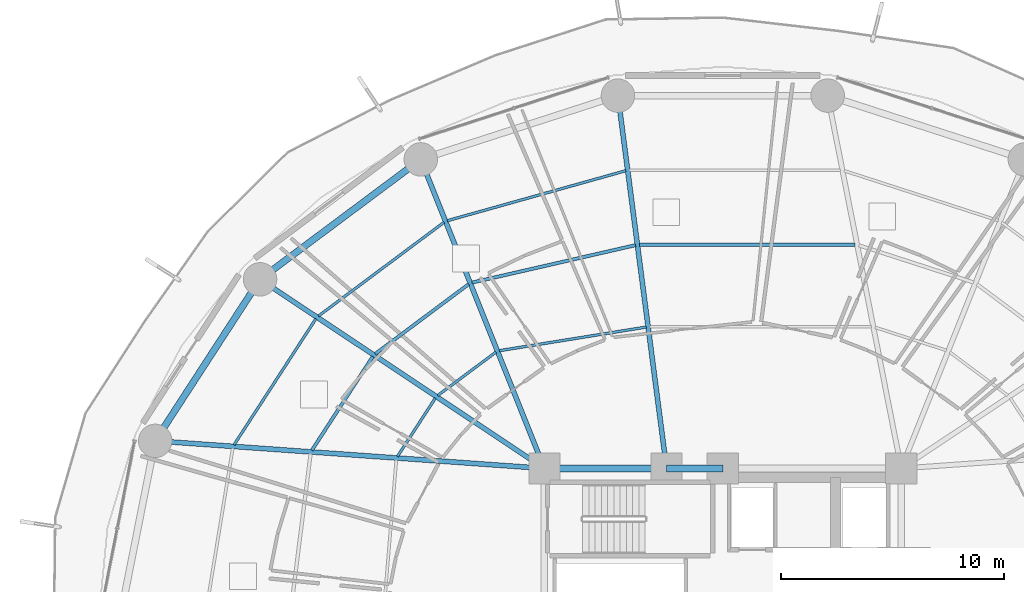
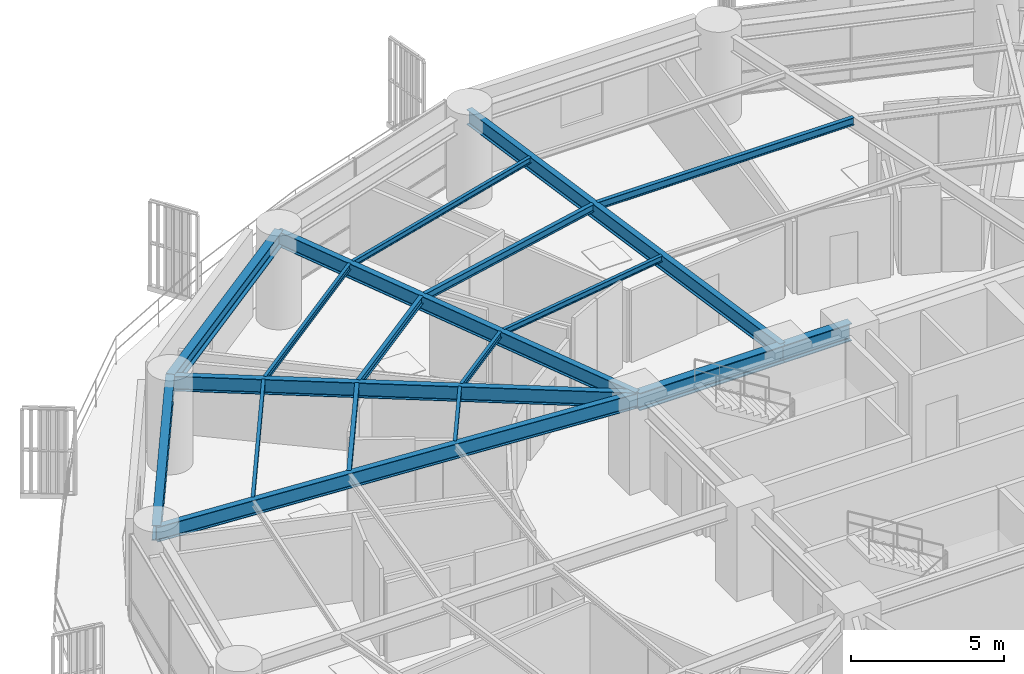
# One storey, part 16 of 32: 18 beams.
"""IFC4 building model written with IfcOpenShell, lengths in metres."""

from ifc_helpers import new_model, si_unit, direction, frame, origin, origin_2d, place, context, subcontext, project, spatial, i_section, extrude, material, material_profile, profile_set, type_object, element, save


model = new_model("IFC4")

# Units and contexts
model_context = context("Model", 3, precision=1e-05, world=origin(), true_north=direction((0.0, 1.0)))
body_context = subcontext(model_context, "Body", "Model", "MODEL_VIEW")
ifc_project = project(units=[si_unit("LENGTHUNIT", "METRE"), si_unit("AREAUNIT", "SQUARE_METRE"), si_unit("VOLUMEUNIT", "CUBIC_METRE"), si_unit("PLANEANGLEUNIT", "RADIAN"), si_unit("MASSUNIT", "GRAM", prefix="KILO")], contexts=[model_context])

# Site, building, storey
site_placement = place(None, origin())
site = spatial("IfcSite", under=ifc_project, at=site_placement, CompositionType="ELEMENT")
building_placement = place(site_placement, origin())
building = spatial("IfcBuilding", under=site, at=building_placement, Name="Kelanora Arch Commons", CompositionType="ELEMENT")
storey_placement = place(building_placement, frame((0.0, 0.0, 52.5)))
storey = spatial("IfcBuildingStorey", under=building, at=storey_placement, Name="L13", CompositionType="ELEMENT", Elevation=52.5)

# Beams
ifc_material = material(Name="Steel S355", Category="steel")
ifc_material_profile_1 = material_profile(ifc_material, i_section(OverallWidth=0.300048828125, OverallDepth=0.699951171875, WebThickness=0.01708984375, FlangeThickness=0.031982421875, FilletRadius=0.027099609375, at=origin_2d()), Name="HEB700")
ifc_profile_set_1 = profile_set([ifc_material_profile_1], Name="Steel S355")
beam_type_1 = type_object("IfcBeamType", Name="BM-CORE-HDR", PredefinedType="BEAM", material=ifc_profile_set_1)
beam_1_placement = place(storey_placement, frame((74.0, 65.0, 3.139892578125), z_axis=(-1.0, 0.0, 0.0), x_axis=(0.0, -1.0, 0.0)))
element("IfcBeam", 1, at=beam_1_placement, inside=storey, type_object=beam_type_1, Name="Core Header Beam 06 L13", PredefinedType="BEAM", context=body_context, shape_type="SweptSolid", body=[
    extrude(i_section(OverallWidth=0.300048828125, OverallDepth=0.699951171875, WebThickness=0.01708984375, FlangeThickness=0.031982421875, FilletRadius=0.027099609375, at=origin_2d()), origin(), (0.0, 0.0, 1.0), 2.52001953125),
])
beam_2_placement = place(storey_placement, frame((71.47998046875, 65.0, 3.139892578125), z_axis=(-1.0, 0.0, 0.0), x_axis=(0.0, -1.0, 0.0)))
element("IfcBeam", 2, at=beam_2_placement, inside=storey, type_object=beam_type_1, Name="Core Header Beam 07 L13", PredefinedType="BEAM", context=body_context, shape_type="SweptSolid", body=[
    extrude(i_section(OverallWidth=0.300048828125, OverallDepth=0.699951171875, WebThickness=0.01708984375, FlangeThickness=0.031982421875, FilletRadius=0.027099609375, at=origin_2d()), origin(), (0.0, 0.0, 1.0), 5.47998046875),
])
ifc_material_profile_2 = material_profile(ifc_material, i_section(OverallWidth=0.14990234375, OverallDepth=0.300048828125, WebThickness=0.007080078125, FlangeThickness=0.0107421875, FilletRadius=0.014892578125, at=origin_2d()), Name="IPE300")
ifc_profile_set_2 = profile_set([ifc_material_profile_2], Name="Steel S355")
beam_type_2 = type_object("IfcBeamType", Name="BM-JST-01", PredefinedType="JOIST", material=ifc_profile_set_2)
beam_3_placement = place(storey_placement, frame((79.936279296875, 75.028564453125, 3.340087890625), z_axis=(-1.0, 0.0, 0.0), x_axis=(0.0, -1.0, 0.0)))
element("IfcBeam", 3, at=beam_3_placement, inside=storey, type_object=beam_type_2, Name="Secondary Chord Joist BJB-08 L13", PredefinedType="JOIST", context=body_context, shape_type="SweptSolid", body=[
    extrude(i_section(OverallWidth=0.14990234375, OverallDepth=0.300048828125, WebThickness=0.007080078125, FlangeThickness=0.0107421875, FilletRadius=0.014892578125, at=origin_2d()), origin(), (0.0, 0.0, 1.0), 9.6806640625),
])
beam_4_placement = place(storey_placement, frame((70.087646484375, 75.009521484375, 3.340087890625), z_axis=(-0.974770159254, -0.223210968877, 0.0), x_axis=(0.223210968877, -0.974770159254, 0.0)))
element("IfcBeam", 4, at=beam_4_placement, inside=storey, type_object=beam_type_2, Name="Secondary Chord Joist BJB-10 L13", PredefinedType="JOIST", context=body_context, shape_type="SweptSolid", body=[
    extrude(i_section(OverallWidth=0.14990234375, OverallDepth=0.300048828125, WebThickness=0.007080078125, FlangeThickness=0.0107421875, FilletRadius=0.014892578125, at=origin_2d()), origin(), (0.0, 0.0, 1.0), 7.5185546875),
])
beam_5_placement = place(storey_placement, frame((62.60791015625, 73.261474609375, 3.340087890625), z_axis=(-0.801478251559, -0.598023922831, 0.0), x_axis=(0.598023922831, -0.801478251559, 0.0)))
element("IfcBeam", 5, at=beam_5_placement, inside=storey, type_object=beam_type_2, Name="Secondary Chord Joist BJB-12 L13", PredefinedType="JOIST", context=body_context, shape_type="SweptSolid", body=[
    extrude(i_section(OverallWidth=0.14990234375, OverallDepth=0.300048828125, WebThickness=0.007080078125, FlangeThickness=0.0107421875, FilletRadius=0.014892578125, at=origin_2d()), origin(), (0.0, 0.0, 1.0), 5.223388671875),
])
beam_6_placement = place(storey_placement, frame((58.306884765625, 70.015625, 3.340087890625), z_axis=(-0.544551588245, -0.838727350061, 0.0), x_axis=(0.838727350061, -0.544551588245, 0.0)))
element("IfcBeam", 6, at=beam_6_placement, inside=storey, type_object=beam_type_2, Name="Secondary Chord Joist BJB-14 L13", PredefinedType="JOIST", context=body_context, shape_type="SweptSolid", body=[
    extrude(i_section(OverallWidth=0.14990234375, OverallDepth=0.300048828125, WebThickness=0.007080078125, FlangeThickness=0.0107421875, FilletRadius=0.014892578125, at=origin_2d()), origin(), (0.0, 0.0, 1.0), 5.010986328125),
])
ifc_material_profile_3 = material_profile(ifc_material, i_section(OverallWidth=0.1201171875, OverallDepth=0.239990234375, WebThickness=0.006103515625, FlangeThickness=0.009765625, FilletRadius=0.014892578125, at=origin_2d()), Name="IPE240")
ifc_profile_set_3 = profile_set([ifc_material_profile_3], Name="Steel S355")
beam_type_3 = type_object("IfcBeamType", Name="BM-JST-02", PredefinedType="JOIST", material=ifc_profile_set_3)
beam_7_placement = place(storey_placement, frame((70.56689453125, 71.337890625, 3.3701171875), z_axis=(-0.987306715654, -0.158825215959, 0.0), x_axis=(0.158825215959, -0.987306715654, 0.0)))
element("IfcBeam", 7, at=beam_7_placement, inside=storey, type_object=beam_type_3, Name="Secondary Chord Joist BJA-10 L13", PredefinedType="JOIST", context=body_context, shape_type="SweptSolid", body=[
    extrude(i_section(OverallWidth=0.1201171875, OverallDepth=0.239990234375, WebThickness=0.006103515625, FlangeThickness=0.009765625, FilletRadius=0.014892578125, at=origin_2d()), origin(), (0.0, 0.0, 1.0), 6.6728515625),
])
beam_8_placement = place(storey_placement, frame((69.652099609375, 78.348388671875, 3.3701171875), z_axis=(-0.962914880978, -0.269805359456, 0.0), x_axis=(0.269805359456, -0.962914880978, 0.0)))
element("IfcBeam", 8, at=beam_8_placement, inside=storey, type_object=beam_type_3, Name="Secondary Chord Joist BJC-10 L13", PredefinedType="JOIST", context=body_context, shape_type="SweptSolid", body=[
    extrude(i_section(OverallWidth=0.1201171875, OverallDepth=0.239990234375, WebThickness=0.006103515625, FlangeThickness=0.009765625, FilletRadius=0.014892578125, at=origin_2d()), origin(), (0.0, 0.0, 1.0), 8.310302734375),
])
beam_9_placement = place(storey_placement, frame((63.82666015625, 70.213623046875, 3.3701171875), z_axis=(-0.801513822608, -0.59797624716, 0.0), x_axis=(0.59797624716, -0.801513822608, 0.0)))
element("IfcBeam", 9, at=beam_9_placement, inside=storey, type_object=beam_type_3, Name="Secondary Chord Joist BJA-12 L13", PredefinedType="JOIST", context=body_context, shape_type="SweptSolid", body=[
    extrude(i_section(OverallWidth=0.1201171875, OverallDepth=0.239990234375, WebThickness=0.006103515625, FlangeThickness=0.009765625, FilletRadius=0.014892578125, at=origin_2d()), origin(), (0.0, 0.0, 1.0), 3.245849609375),
])
beam_10_placement = place(storey_placement, frame((61.5, 76.0322265625, 3.3701171875), z_axis=(-0.80149131963, -0.598006408459, 0.0), x_axis=(0.598006408459, -0.80149131963, 0.0)))
element("IfcBeam", 10, at=beam_10_placement, inside=storey, type_object=beam_type_3, Name="Secondary Chord Joist BJC-12 L13", PredefinedType="JOIST", context=body_context, shape_type="SweptSolid", body=[
    extrude(i_section(OverallWidth=0.1201171875, OverallDepth=0.239990234375, WebThickness=0.006103515625, FlangeThickness=0.009765625, FilletRadius=0.014892578125, at=origin_2d()), origin(), (0.0, 0.0, 1.0), 7.021240234375),
])
beam_11_placement = place(storey_placement, frame((61.11083984375, 68.150390625, 3.3701171875), z_axis=(-0.544591105858, -0.838701691557, 0.0), x_axis=(0.838701691557, -0.544591105858, 0.0)))
element("IfcBeam", 11, at=beam_11_placement, inside=storey, type_object=beam_type_3, Name="Secondary Chord Joist BJA-14 L13", PredefinedType="JOIST", context=body_context, shape_type="SweptSolid", body=[
    extrude(i_section(OverallWidth=0.1201171875, OverallDepth=0.239990234375, WebThickness=0.006103515625, FlangeThickness=0.009765625, FilletRadius=0.014892578125, at=origin_2d()), origin(), (0.0, 0.0, 1.0), 3.111328125),
])
beam_12_placement = place(storey_placement, frame((55.758056640625, 71.711181640625, 3.3701171875), z_axis=(-0.544550165372, -0.838728273873, 0.0), x_axis=(0.838728273873, -0.544550165372, 0.0)))
element("IfcBeam", 12, at=beam_12_placement, inside=storey, type_object=beam_type_3, Name="Secondary Chord Joist BJC-14 L13", PredefinedType="JOIST", context=body_context, shape_type="SweptSolid", body=[
    extrude(i_section(OverallWidth=0.1201171875, OverallDepth=0.239990234375, WebThickness=0.006103515625, FlangeThickness=0.009765625, FilletRadius=0.014892578125, at=origin_2d()), origin(), (0.0, 0.0, 1.0), 6.738037109375),
])
ifc_material_profile_4 = material_profile(ifc_material, i_section(OverallWidth=0.219970703125, OverallDepth=0.60009765625, WebThickness=0.011962890625, FlangeThickness=0.01904296875, FilletRadius=0.02392578125, at=origin_2d()), Name="IPE600")
ifc_profile_set_4 = profile_set([ifc_material_profile_4], Name="Steel S355")
beam_type_4 = type_object("IfcBeamType", Name="BM-RAD-Z1", PredefinedType="BEAM", material=ifc_profile_set_4)
beam_13_placement = place(storey_placement, frame((71.47998046875, 65.0, 3.18994140625), z_axis=(-0.129471691865, 0.991583118556, 0.0), x_axis=(-0.991583118556, -0.129471691865, 0.0)))
element("IfcBeam", 13, at=beam_13_placement, inside=storey, type_object=beam_type_4, Name="Radial Floor Girder BR-10 L13", PredefinedType="BEAM", context=body_context, shape_type="SweptSolid", body=[
    extrude(i_section(OverallWidth=0.219970703125, OverallDepth=0.60009765625, WebThickness=0.011962890625, FlangeThickness=0.01904296875, FilletRadius=0.02392578125, at=origin_2d()), origin(), (0.0, 0.0, 1.0), 16.85595703125),
])
beam_14_placement = place(storey_placement, frame((66.0, 65.0, 3.18994140625), z_axis=(-0.371300398117, 0.928512797089, 0.0), x_axis=(-0.928512797089, -0.371300398117, 0.0)))
element("IfcBeam", 14, at=beam_14_placement, inside=storey, type_object=beam_type_4, Name="Radial Floor Girder BR-12 L13", PredefinedType="BEAM", context=body_context, shape_type="SweptSolid", body=[
    extrude(i_section(OverallWidth=0.219970703125, OverallDepth=0.60009765625, WebThickness=0.011962890625, FlangeThickness=0.01904296875, FilletRadius=0.02392578125, at=origin_2d()), origin(), (0.0, 0.0, 1.0), 14.920654296875),
])
beam_15_placement = place(storey_placement, frame((66.0, 65.0, 3.18994140625), z_axis=(-0.832592187754, 0.553886494591, 0.0), x_axis=(-0.553886494591, -0.832592187754, 0.0)))
element("IfcBeam", 15, at=beam_15_placement, inside=storey, type_object=beam_type_4, Name="Radial Floor Girder BR-14 L13", PredefinedType="BEAM", context=body_context, shape_type="SweptSolid", body=[
    extrude(i_section(OverallWidth=0.219970703125, OverallDepth=0.60009765625, WebThickness=0.011962890625, FlangeThickness=0.01904296875, FilletRadius=0.02392578125, at=origin_2d()), origin(), (0.0, 0.0, 1.0), 15.306884765625),
])
beam_16_placement = place(storey_placement, frame((66.0, 65.0, 3.18994140625), z_axis=(-0.997500683472, 0.070656821848, 0.0), x_axis=(-0.070656821848, -0.997500683472, 0.0)))
element("IfcBeam", 16, at=beam_16_placement, inside=storey, type_object=beam_type_4, Name="Radial Floor Girder BR-16 L13", PredefinedType="BEAM", context=body_context, shape_type="SweptSolid", body=[
    extrude(i_section(OverallWidth=0.219970703125, OverallDepth=0.60009765625, WebThickness=0.011962890625, FlangeThickness=0.01904296875, FilletRadius=0.02392578125, at=origin_2d()), origin(), (0.0, 0.0, 1.0), 17.49072265625),
])
ifc_material_profile_5 = material_profile(ifc_material, i_section(OverallWidth=0.300048828125, OverallDepth=0.60009765625, WebThickness=0.015380859375, FlangeThickness=0.030029296875, FilletRadius=0.027099609375, at=origin_2d()), Name="HEB600")
ifc_profile_set_5 = profile_set([ifc_material_profile_5], Name="Steel S355")
beam_type_5 = type_object("IfcBeamType", Name="BM-SPN-Z1", PredefinedType="SPANDREL", material=ifc_profile_set_5)
beam_17_placement = place(storey_placement, frame((60.4599609375, 78.85400390625, 3.18994140625), z_axis=(-0.801467504127, -0.598038326388, 0.0), x_axis=(0.598038326388, -0.801467504127, 0.0)))
element("IfcBeam", 17, at=beam_17_placement, inside=storey, type_object=beam_type_5, Name="Perimeter Spandrel Beam BS-12 L13", PredefinedType="SPANDREL", context=body_context, shape_type="SweptSolid", body=[
    extrude(i_section(OverallWidth=0.300048828125, OverallDepth=0.60009765625, WebThickness=0.015380859375, FlangeThickness=0.030029296875, FilletRadius=0.027099609375, at=origin_2d()), origin(), (0.0, 0.0, 1.0), 8.989013671875),
])
beam_18_placement = place(storey_placement, frame((53.255615234375, 73.478271484375, 3.18994140625), z_axis=(-0.544585813928, -0.838705127722, 0.0), x_axis=(0.838705127722, -0.544585813928, 0.0)))
element("IfcBeam", 18, at=beam_18_placement, inside=storey, type_object=beam_type_5, Name="Perimeter Spandrel Beam BS-14 L13", PredefinedType="SPANDREL", context=body_context, shape_type="SweptSolid", body=[
    extrude(i_section(OverallWidth=0.300048828125, OverallDepth=0.60009765625, WebThickness=0.015380859375, FlangeThickness=0.030029296875, FilletRadius=0.027099609375, at=origin_2d()), origin(), (0.0, 0.0, 1.0), 8.63525390625),
])

save(model, "model.ifc")
